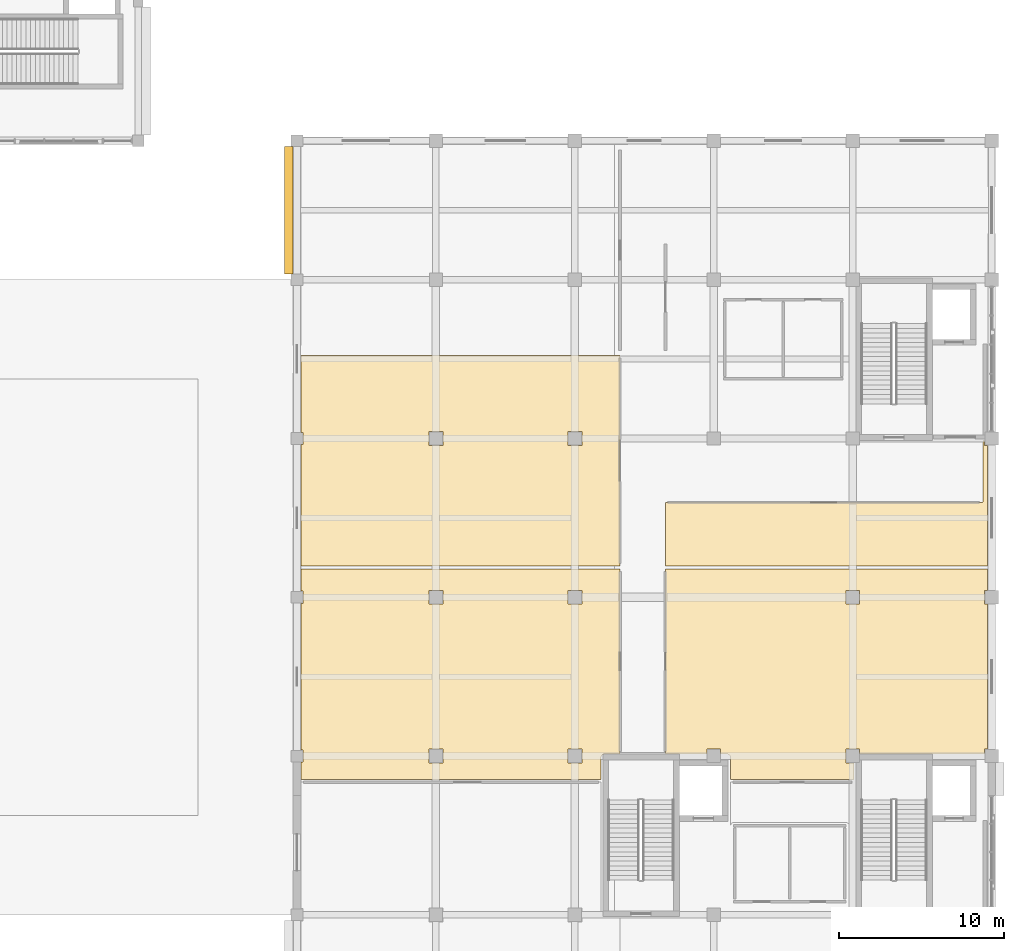
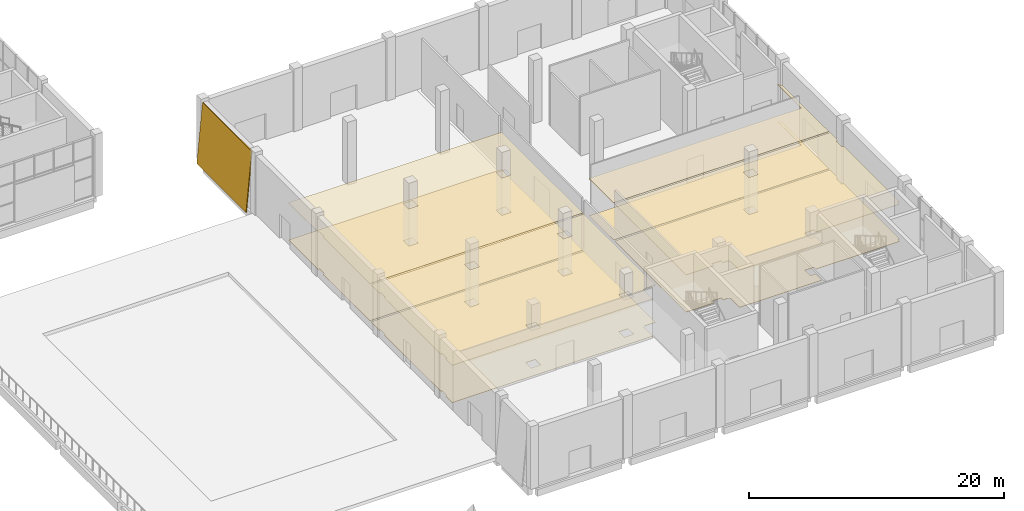
# One storey, part 83 of 84: 9 coverings.
"""IFC4 building model written with IfcOpenShell, lengths in metres."""

from ifc_helpers import new_model, si_unit, direction, frame, origin, place, context, subcontext, project, spatial, polyline, outline, extrude, material, layer, layer_set, type_object, element, save


model = new_model("IFC4")

# Units and contexts
model_context = context("Model", 3, precision=1e-05, world=origin(), true_north=direction((0.0, 1.0)))
body_context = subcontext(model_context, "Body", "Model", "MODEL_VIEW")
ifc_project = project(units=[si_unit("LENGTHUNIT", "METRE"), si_unit("AREAUNIT", "SQUARE_METRE"), si_unit("VOLUMEUNIT", "CUBIC_METRE"), si_unit("PLANEANGLEUNIT", "RADIAN"), si_unit("MASSUNIT", "GRAM", prefix="KILO")], contexts=[model_context])

# Site, building, storey
site_placement = place(None, origin())
site = spatial("IfcSite", under=ifc_project, at=site_placement, CompositionType="ELEMENT")
building_placement = place(site_placement, origin())
building = spatial("IfcBuilding", under=site, at=building_placement, Name="Shalvenor Court Art Gallery", CompositionType="ELEMENT")
storey_placement = place(building_placement, origin())
storey = spatial("IfcBuildingStorey", under=building, at=storey_placement, Name="L00", CompositionType="ELEMENT", Elevation=0.0)

# Coverings
ifc_material_1 = material(Name="Pale Mediterranean limestone cladding", Category="masonry")
ifc_layer_1 = layer(ifc_material_1, 0.080078125, Name="Pale Mediterranean limestone cladding")
ifc_layer_set_1 = layer_set([ifc_layer_1], Name="Pale Mediterranean limestone cladding")
covering_type_1 = type_object("IfcCoveringType", Name="CLD-01", PredefinedType="CLADDING", material=ifc_layer_set_1)
covering_1_placement = place(storey_placement, frame((133.653076171875, 96.85009765625, 0.0), z_axis=(0.0, 0.0, 1.0), x_axis=(0.0, -1.0, 0.0)))
element("IfcCovering", 1, at=covering_1_placement, inside=storey, type_object=covering_type_1, Name="L00 V1 Tapered Limestone Cladding 4", PredefinedType="CLADDING", context=body_context, shape_type="SweptSolid", body=[
    extrude(outline(polyline([(0.0, 0.0), (7.7001953125, 0.0), (7.7001953125, 5.703369140625), (0.0, 5.703369140625), (0.0, 0.0)])), frame((0.0, 0.0, 0.0), z_axis=(0.0, -0.995884398616, 0.090632580198), x_axis=(1.0, 0.0, 0.0)), (0.0, 0.090632580198, -0.995884398616), 0.080322265625),
])
ifc_material_2 = material(Name="Perforated acoustic gypsum gallery ceiling", Category="other")
ifc_layer_2 = layer(ifc_material_2, 0.044921875, Name="Perforated acoustic gypsum gallery ceiling")
ifc_layer_set_2 = layer_set([ifc_layer_2], Name="Perforated acoustic gypsum gallery ceiling")
covering_type_2 = type_object("IfcCoveringType", Name="CLG-01", PredefinedType="CEILING", material=ifc_layer_set_2)
covering_2_placement = place(storey_placement, frame((0.0, 0.0, 3.550048828125)))
element("IfcCovering", 2, at=covering_2_placement, inside=storey, type_object=covering_type_2, Name="L00 Sculpture Exhibition Hall Acoustic Ceiling", PredefinedType="CEILING", context=body_context, shape_type="SweptSolid", body=[
    extrude(outline(polyline([(153.919921875, 71.320068359375), (153.919921875, 60.1201171875), (153.0, 60.1201171875), (152.978515625, 60.118896484375), (152.95703125, 60.11572265625), (152.93603515625, 60.110595703125), (152.915771484375, 60.103271484375), (152.896240234375, 60.093994140625), (152.877685546875, 60.0830078125), (152.8603515625, 60.070068359375), (152.844482421875, 60.0556640625), (152.829833984375, 60.03955078125), (152.817138671875, 60.022216796875), (152.805908203125, 60.003662109375), (152.796630859375, 59.984130859375), (152.78955078125, 59.9638671875), (152.7841796875, 59.94287109375), (152.781005859375, 59.921630859375), (152.780029296875, 59.89990234375), (152.780029296875, 58.580078125), (134.64990234375, 58.580078125), (134.64990234375, 59.6298828125), (134.77001953125, 59.6298828125), (134.77001953125, 60.3701171875), (134.64990234375, 60.3701171875), (134.64990234375, 69.22998046875), (134.77001953125, 69.22998046875), (134.77001953125, 69.969970703125), (134.64990234375, 69.969970703125), (134.64990234375, 71.320068359375), (153.919921875, 71.320068359375)]), holes=[polyline([(150.780029296875, 60.419921875), (150.780029296875, 59.580078125), (151.6201171875, 59.580078125), (151.6201171875, 60.419921875), (150.780029296875, 60.419921875)]), polyline([(142.3798828125, 60.419921875), (142.3798828125, 59.580078125), (143.219970703125, 59.580078125), (143.219970703125, 60.419921875), (142.3798828125, 60.419921875)]), polyline([(150.780029296875, 70.02001953125), (150.780029296875, 69.179931640625), (151.6201171875, 69.179931640625), (151.6201171875, 70.02001953125), (150.780029296875, 70.02001953125)]), polyline([(143.219970703125, 70.02001953125), (142.3798828125, 70.02001953125), (142.3798828125, 69.179931640625), (143.219970703125, 69.179931640625), (143.219970703125, 70.02001953125)])]), origin(), (0.0, 0.0, 1.0), 0.044921875),
])
covering_3_placement = place(storey_placement, frame((0.0, 0.0, 3.550048828125)))
element("IfcCovering", 3, at=covering_3_placement, inside=storey, type_object=covering_type_2, Name="L00 Sculpture Exhibition Hall Wing B Acoustic Ceiling", PredefinedType="CEILING", context=body_context, shape_type="SweptSolid", body=[
    extrude(outline(polyline([(168.419921875, 60.1201171875), (168.419921875, 60.419921875), (167.580078125, 60.419921875), (167.580078125, 59.580078125), (168.080078125, 59.580078125), (168.080078125, 58.580078125), (160.6201171875, 58.580078125), (160.6201171875, 59.89990234375), (160.618896484375, 59.921630859375), (160.61572265625, 59.94287109375), (160.610595703125, 59.9638671875), (160.603271484375, 59.984130859375), (160.593994140625, 60.003662109375), (160.5830078125, 60.022216796875), (160.570068359375, 60.03955078125), (160.5556640625, 60.0556640625), (160.53955078125, 60.070068359375), (160.522216796875, 60.0830078125), (160.503662109375, 60.093994140625), (160.484130859375, 60.103271484375), (160.4638671875, 60.110595703125), (160.44287109375, 60.11572265625), (160.421630859375, 60.118896484375), (160.39990234375, 60.1201171875), (160.02001953125, 60.1201171875), (160.02001953125, 60.419921875), (159.179931640625, 60.419921875), (159.179931640625, 60.1201171875), (156.679931640625, 60.1201171875), (156.679931640625, 71.320068359375), (176.14990234375, 71.320068359375), (176.14990234375, 70.02001953125), (175.97998046875, 70.02001953125), (175.97998046875, 69.179931640625), (176.14990234375, 69.179931640625), (176.14990234375, 60.419921875), (175.97998046875, 60.419921875), (175.97998046875, 60.1201171875), (168.419921875, 60.1201171875)]), holes=[polyline([(167.580078125, 70.02001953125), (167.580078125, 69.179931640625), (168.419921875, 69.179931640625), (168.419921875, 70.02001953125), (167.580078125, 70.02001953125)])]), origin(), (0.0, 0.0, 1.0), 0.044921875),
])
covering_4_placement = place(storey_placement, frame((0.0, 0.0, 3.550048828125)))
element("IfcCovering", 4, at=covering_4_placement, inside=storey, type_object=covering_type_2, Name="L00 Permanent Painting Gallery Acoustic Ceiling", PredefinedType="CEILING", context=body_context, shape_type="SweptSolid", body=[
    extrude(outline(polyline([(153.919921875, 84.219970703125), (153.919921875, 71.47998046875), (134.64990234375, 71.47998046875), (134.64990234375, 78.830078125), (134.77001953125, 78.830078125), (134.77001953125, 79.570068359375), (134.64990234375, 79.570068359375), (134.64990234375, 84.219970703125), (153.919921875, 84.219970703125)]), holes=[polyline([(151.6201171875, 79.6201171875), (150.780029296875, 79.6201171875), (150.780029296875, 78.780029296875), (151.6201171875, 78.780029296875), (151.6201171875, 79.6201171875)]), polyline([(142.3798828125, 79.6201171875), (142.3798828125, 78.780029296875), (143.219970703125, 78.780029296875), (143.219970703125, 79.6201171875), (142.3798828125, 79.6201171875)])]), origin(), (0.0, 0.0, 1.0), 0.044921875),
])
covering_5_placement = place(storey_placement, frame((0.0, 0.0, 3.550048828125)))
element("IfcCovering", 5, at=covering_5_placement, inside=storey, type_object=covering_type_2, Name="L00 Permanent Painting Gallery Wing B Acoustic Ceiling", PredefinedType="CEILING", context=body_context, shape_type="SweptSolid", body=[
    extrude(outline(polyline([(176.14990234375, 71.47998046875), (156.679931640625, 71.47998046875), (156.679931640625, 75.320068359375), (175.800048828125, 75.320068359375), (175.807861328125, 75.3203125), (175.815673828125, 75.321533203125), (175.8232421875, 75.323486328125), (175.83056640625, 75.326171875), (175.837646484375, 75.329345703125), (175.844482421875, 75.33349609375), (175.850830078125, 75.338134765625), (175.856689453125, 75.343505859375), (175.86181640625, 75.34912109375), (175.866455078125, 75.355712890625), (175.87060546875, 75.3623046875), (175.873779296875, 75.369384765625), (175.876708984375, 75.376708984375), (175.87841796875, 75.384521484375), (175.879638671875, 75.39208984375), (175.8798828125, 75.39990234375), (175.8798828125, 79.080078125), (175.97998046875, 79.080078125), (175.97998046875, 78.780029296875), (176.14990234375, 78.780029296875), (176.14990234375, 71.47998046875)])), origin(), (0.0, 0.0, 1.0), 0.044921875),
])
ifc_material_3 = material(Name="Quarter-sawn white oak gallery flooring", Category="wood")
ifc_layer_3 = layer(ifc_material_3, 0.031982421875, Name="Quarter-sawn white oak gallery flooring")
ifc_layer_set_3 = layer_set([ifc_layer_3], Name="Quarter-sawn white oak gallery flooring")
covering_type_3 = type_object("IfcCoveringType", Name="FLR-02", PredefinedType="FLOORING", material=ifc_layer_set_3)
covering_6_placement = place(storey_placement, origin())
element("IfcCovering", 6, at=covering_6_placement, inside=storey, type_object=covering_type_3, Name="L00 Sculpture Exhibition Hall Flooring", PredefinedType="FLOORING", context=body_context, shape_type="SweptSolid", body=[
    extrude(outline(polyline([(153.919921875, 71.320068359375), (153.919921875, 60.1201171875), (153.0, 60.1201171875), (152.978515625, 60.118896484375), (152.95703125, 60.11572265625), (152.93603515625, 60.110595703125), (152.915771484375, 60.103271484375), (152.896240234375, 60.093994140625), (152.877685546875, 60.0830078125), (152.8603515625, 60.070068359375), (152.844482421875, 60.0556640625), (152.829833984375, 60.03955078125), (152.817138671875, 60.022216796875), (152.805908203125, 60.003662109375), (152.796630859375, 59.984130859375), (152.78955078125, 59.9638671875), (152.7841796875, 59.94287109375), (152.781005859375, 59.921630859375), (152.780029296875, 59.89990234375), (152.780029296875, 58.580078125), (134.64990234375, 58.580078125), (134.64990234375, 59.6298828125), (134.77001953125, 59.6298828125), (134.77001953125, 60.3701171875), (134.64990234375, 60.3701171875), (134.64990234375, 69.22998046875), (134.77001953125, 69.22998046875), (134.77001953125, 69.969970703125), (134.64990234375, 69.969970703125), (134.64990234375, 71.320068359375), (153.919921875, 71.320068359375)]), holes=[polyline([(150.780029296875, 60.419921875), (150.780029296875, 59.580078125), (151.6201171875, 59.580078125), (151.6201171875, 60.419921875), (150.780029296875, 60.419921875)]), polyline([(142.3798828125, 60.419921875), (142.3798828125, 59.580078125), (143.219970703125, 59.580078125), (143.219970703125, 60.419921875), (142.3798828125, 60.419921875)]), polyline([(150.780029296875, 70.02001953125), (150.780029296875, 69.179931640625), (151.6201171875, 69.179931640625), (151.6201171875, 70.02001953125), (150.780029296875, 70.02001953125)]), polyline([(143.219970703125, 70.02001953125), (142.3798828125, 70.02001953125), (142.3798828125, 69.179931640625), (143.219970703125, 69.179931640625), (143.219970703125, 70.02001953125)])]), origin(), (0.0, 0.0, 1.0), 0.031982421875),
])
covering_7_placement = place(storey_placement, origin())
element("IfcCovering", 7, at=covering_7_placement, inside=storey, type_object=covering_type_3, Name="L00 Sculpture Exhibition Hall Wing B Flooring", PredefinedType="FLOORING", context=body_context, shape_type="SweptSolid", body=[
    extrude(outline(polyline([(168.419921875, 60.1201171875), (168.419921875, 60.419921875), (167.580078125, 60.419921875), (167.580078125, 59.580078125), (168.080078125, 59.580078125), (168.080078125, 58.580078125), (160.6201171875, 58.580078125), (160.6201171875, 59.89990234375), (160.618896484375, 59.921630859375), (160.61572265625, 59.94287109375), (160.610595703125, 59.9638671875), (160.603271484375, 59.984130859375), (160.593994140625, 60.003662109375), (160.5830078125, 60.022216796875), (160.570068359375, 60.03955078125), (160.5556640625, 60.0556640625), (160.53955078125, 60.070068359375), (160.522216796875, 60.0830078125), (160.503662109375, 60.093994140625), (160.484130859375, 60.103271484375), (160.4638671875, 60.110595703125), (160.44287109375, 60.11572265625), (160.421630859375, 60.118896484375), (160.39990234375, 60.1201171875), (160.02001953125, 60.1201171875), (160.02001953125, 60.419921875), (159.179931640625, 60.419921875), (159.179931640625, 60.1201171875), (156.679931640625, 60.1201171875), (156.679931640625, 71.320068359375), (176.14990234375, 71.320068359375), (176.14990234375, 70.02001953125), (175.97998046875, 70.02001953125), (175.97998046875, 69.179931640625), (176.14990234375, 69.179931640625), (176.14990234375, 60.419921875), (175.97998046875, 60.419921875), (175.97998046875, 60.1201171875), (168.419921875, 60.1201171875)]), holes=[polyline([(167.580078125, 70.02001953125), (167.580078125, 69.179931640625), (168.419921875, 69.179931640625), (168.419921875, 70.02001953125), (167.580078125, 70.02001953125)])]), origin(), (0.0, 0.0, 1.0), 0.031982421875),
])
covering_8_placement = place(storey_placement, origin())
element("IfcCovering", 8, at=covering_8_placement, inside=storey, type_object=covering_type_3, Name="L00 Permanent Painting Gallery Flooring", PredefinedType="FLOORING", context=body_context, shape_type="SweptSolid", body=[
    extrude(outline(polyline([(153.919921875, 84.219970703125), (153.919921875, 71.47998046875), (134.64990234375, 71.47998046875), (134.64990234375, 78.830078125), (134.77001953125, 78.830078125), (134.77001953125, 79.570068359375), (134.64990234375, 79.570068359375), (134.64990234375, 84.219970703125), (153.919921875, 84.219970703125)]), holes=[polyline([(151.6201171875, 79.6201171875), (150.780029296875, 79.6201171875), (150.780029296875, 78.780029296875), (151.6201171875, 78.780029296875), (151.6201171875, 79.6201171875)]), polyline([(142.3798828125, 79.6201171875), (142.3798828125, 78.780029296875), (143.219970703125, 78.780029296875), (143.219970703125, 79.6201171875), (142.3798828125, 79.6201171875)])]), origin(), (0.0, 0.0, 1.0), 0.031982421875),
])
covering_9_placement = place(storey_placement, origin())
element("IfcCovering", 9, at=covering_9_placement, inside=storey, type_object=covering_type_3, Name="L00 Permanent Painting Gallery Wing B Flooring", PredefinedType="FLOORING", context=body_context, shape_type="SweptSolid", body=[
    extrude(outline(polyline([(176.14990234375, 71.47998046875), (156.679931640625, 71.47998046875), (156.679931640625, 75.320068359375), (175.800048828125, 75.320068359375), (175.807861328125, 75.3203125), (175.815673828125, 75.321533203125), (175.8232421875, 75.323486328125), (175.83056640625, 75.326171875), (175.837646484375, 75.329345703125), (175.844482421875, 75.33349609375), (175.850830078125, 75.338134765625), (175.856689453125, 75.343505859375), (175.86181640625, 75.34912109375), (175.866455078125, 75.355712890625), (175.87060546875, 75.3623046875), (175.873779296875, 75.369384765625), (175.876708984375, 75.376708984375), (175.87841796875, 75.384521484375), (175.879638671875, 75.39208984375), (175.8798828125, 75.39990234375), (175.8798828125, 79.080078125), (175.97998046875, 79.080078125), (175.97998046875, 78.780029296875), (176.14990234375, 78.780029296875), (176.14990234375, 71.47998046875)])), origin(), (0.0, 0.0, 1.0), 0.031982421875),
])

save(model, "model.ifc")
